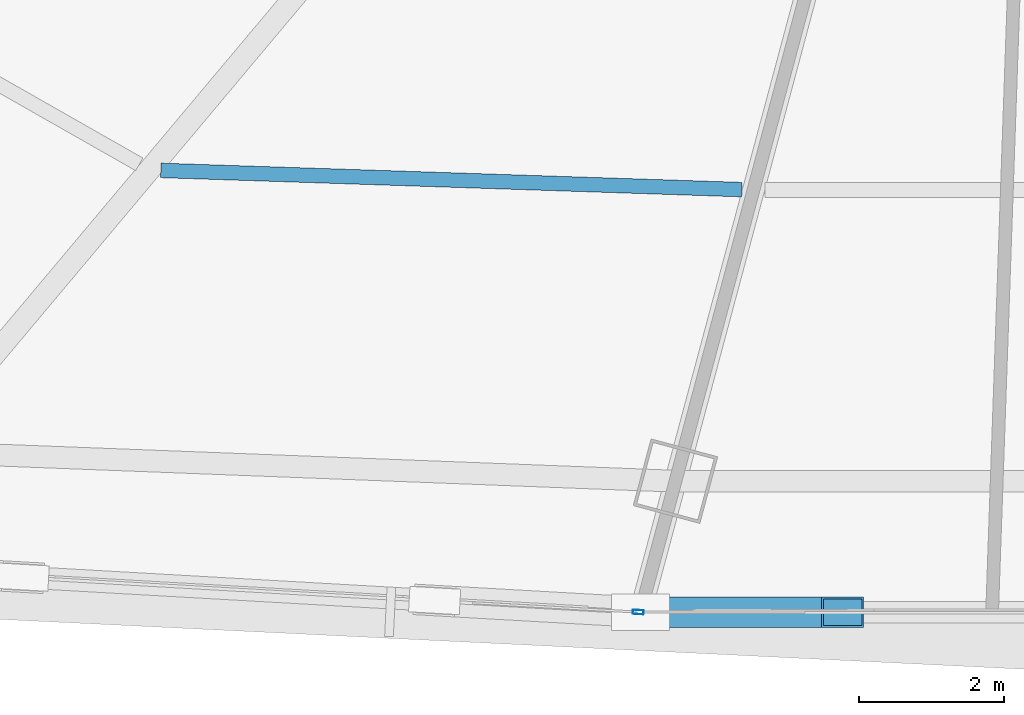
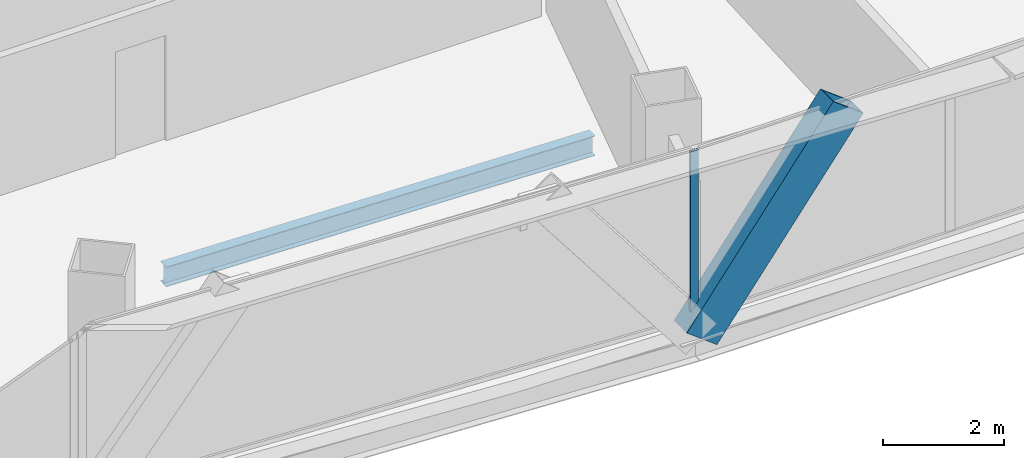
# One storey, part 10 of 42: 2 members, 1 beam, 1 element without a shape of its own.
"""IFC4 building model written with IfcOpenShell, lengths in metres."""

from ifc_helpers import new_model, si_unit, direction, frame, origin, origin_2d, place, context, subcontext, project, spatial, hollow_rectangle, i_section, extrude, source, transform, mapped, material, layer, layer_set, material_profile, profile_set, type_object, element, aggregate, save


model = new_model("IFC4")

# Units and contexts
model_context = context("Model", 3, precision=1e-05, world=origin(), true_north=direction((0.0, 1.0)))
body_context = subcontext(model_context, "Body", "Model", "MODEL_VIEW")
ifc_project = project(units=[si_unit("LENGTHUNIT", "METRE"), si_unit("AREAUNIT", "SQUARE_METRE"), si_unit("VOLUMEUNIT", "CUBIC_METRE"), si_unit("PLANEANGLEUNIT", "RADIAN"), si_unit("MASSUNIT", "GRAM", prefix="KILO"), si_unit("THERMODYNAMICTEMPERATUREUNIT", "KELVIN"), si_unit("POWERUNIT", "WATT")], contexts=[model_context])

# Site, building, storey
site_placement = place(None, origin())
site = spatial("IfcSite", under=ifc_project, at=site_placement, CompositionType="ELEMENT")
building_placement = place(site_placement, origin())
building = spatial("IfcBuilding", under=site, at=building_placement, Name="Yunzhuo Pagoda Commons", CompositionType="ELEMENT")
storey_placement = place(building_placement, frame((0.0, 0.0, 129.830078125)))
storey = spatial("IfcBuildingStorey", under=building, at=storey_placement, Name="L32", CompositionType="ELEMENT", Elevation=129.830078125)

# Beam
ifc_material_1 = material(Name="Structural steel Q355B", Category="steel")
ifc_material_profile_1 = material_profile(ifc_material_1, i_section(OverallWidth=0.199951171875, OverallDepth=0.39990234375, WebThickness=0.008056640625, FlangeThickness=0.012939453125, at=origin_2d()), Name="Structural steel Q355B")
ifc_profile_set_1 = profile_set([ifc_material_profile_1], Name="Structural steel Q355B")
beam_type = type_object("IfcBeamType", Name="B-JS1 Joist HN 400x200x8x13", PredefinedType="JOIST", material=ifc_profile_set_1)
shared_shape_1 = source(origin(), body_context, "Body", "SweptSolid", [
    extrude(i_section(OverallWidth=0.199951171875, OverallDepth=0.39990234375, WebThickness=0.008056640625, FlangeThickness=0.012939453125, at=origin_2d()), origin(), (0.0, 0.0, 1.0), 8.00537109375),
])
beam_placement = place(storey_placement, frame((35.8291015625, 19.00048828125, -0.4599609375), z_axis=(0.999453403952, -0.033058937199, 0.0), x_axis=(0.033058937199, 0.999453403952, 0.0)))
element("IfcBeam", 1, at=beam_placement, inside=storey, type_object=beam_type, Name="L32 composite ring joist 2.1", PredefinedType="JOIST", context=body_context, shape_type="MappedRepresentation", body=[
    mapped(shared_shape_1, transform((0.0, 0.0, 0.0), scale=1.0)),
])

# Member
ifc_material_2 = material(Name="Structural steel Q420B", Category="steel")
ifc_material_profile_2 = material_profile(ifc_material_2, hollow_rectangle(XDim=0.419921875, YDim=0.719970703125, WallThickness=0.028076171875, at=origin_2d()), Name="Structural steel Q420B")
ifc_profile_set_2 = profile_set([ifc_material_profile_2], Name="Structural steel Q420B")
member_type_1 = type_object("IfcMemberType", Name="M-DL1 Brace BOX 720x420x28", PredefinedType="BRACE", material=ifc_profile_set_2)
shared_shape_2 = source(origin(), body_context, "Body", "SweptSolid", [
    extrude(hollow_rectangle(XDim=0.419921875, YDim=0.719970703125, WallThickness=0.028076171875, at=origin_2d()), origin(), (0.0, 0.0, 1.0), 4.6142578125),
])
member_1_placement = place(storey_placement, frame((42.431640625, 12.917724609375, -0.260009765625), z_axis=(0.603321731818, 0.0, 0.797497892107), x_axis=(0.0, 1.0, 0.0)))
element("IfcMember", 2, at=member_1_placement, inside=storey, type_object=member_type_1, Name="L32 facade diamond brace F1.2L", PredefinedType="BRACE", context=body_context, shape_type="MappedRepresentation", body=[
    mapped(shared_shape_2, transform((0.0, 0.0, 0.0), scale=1.0)),
])

# Curtain wall, member
ifc_material_3 = material(Name="Anodized aluminium 6063-T6", Category="aluminium")
ifc_layer = layer(ifc_material_3, 0.14990234375)
ifc_layer_set = layer_set([ifc_layer], Name="Anodized aluminium 6063-T6")
curtain_wall_type = type_object("IfcCurtainWallType", Name="CW-MID Mid-Zone Ribbon Curtain Wall", PredefinedType="NOTDEFINED", material=ifc_layer_set)
curtain_wall_placement = place(storey_placement, origin())
curtain_wall = element("IfcCurtainWall", 3, at=curtain_wall_placement, inside=storey, type_object=curtain_wall_type, Name="L32 curtain wall CW-L32-F1B2", PredefinedType="NOTDEFINED")
ifc_material_profile_3 = material_profile(ifc_material_3, hollow_rectangle(XDim=0.06005859375, YDim=0.14990234375, WallThickness=0.00390625, at=origin_2d()), Name="Anodized aluminium 6063-T6")
ifc_profile_set_3 = profile_set([ifc_material_profile_3], Name="Anodized aluminium 6063-T6")
member_type_2 = type_object("IfcMemberType", Name="CW-MID-M Mullion RHS 150x60x4", PredefinedType="MULLION", material=ifc_profile_set_3)
shared_shape_3 = source(origin(), body_context, "Body", "SweptSolid", [
    extrude(hollow_rectangle(XDim=0.06005859375, YDim=0.14990234375, WallThickness=0.00390625, at=origin_2d()), origin(), (0.0, 0.0, 1.0), 3.419921875),
])
member_2_placement = place(storey_placement, frame((42.4013671875, 12.91943359375, 0.0), z_axis=(0.0, 0.0, 1.0), x_axis=(0.056741862165, 0.99838888269, 0.0)))
member_2 = element("IfcMember", 4, at=member_2_placement, type_object=member_type_2, Name="CW mullion 2", PredefinedType="MULLION", context=body_context, shape_type="MappedRepresentation", body=[
    mapped(shared_shape_3, transform((0.0, 0.0, 0.0), scale=1.0)),
])
aggregate(curtain_wall, [member_2])

save(model, "model.ifc")
